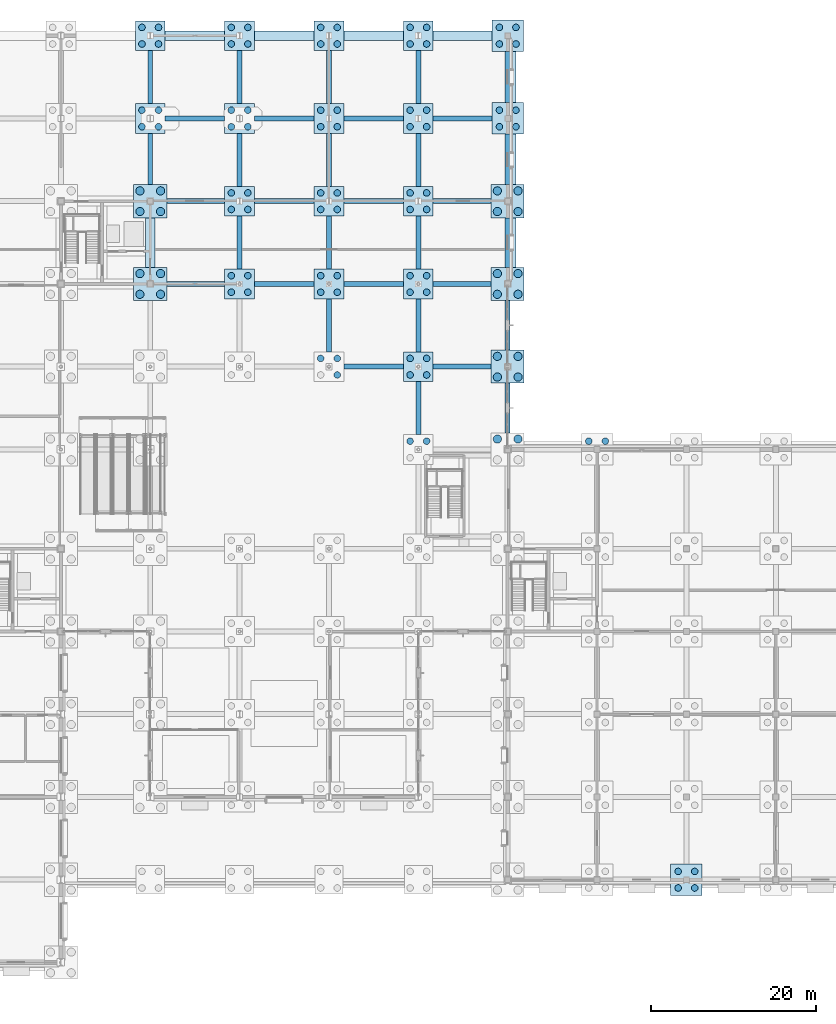
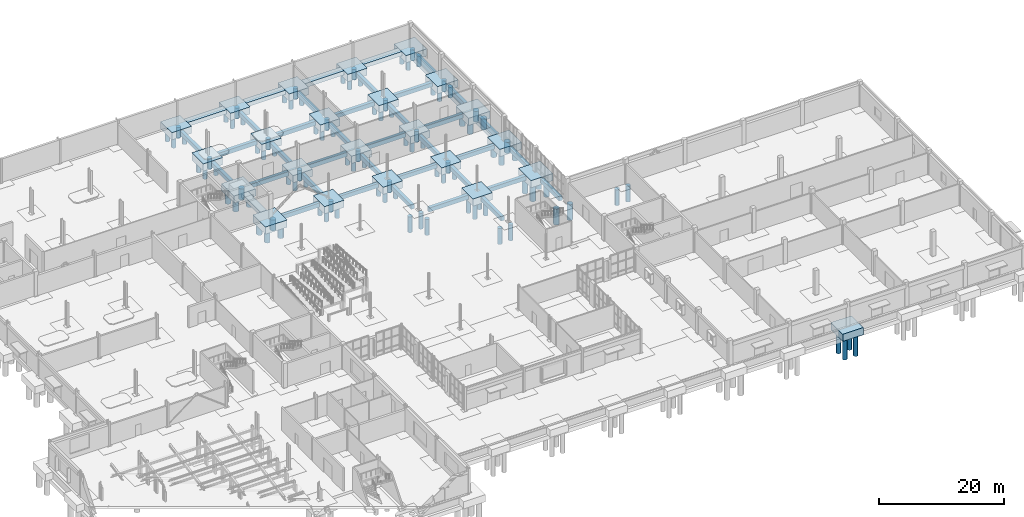
# One storey, part 6 of 73: 101 piles, 62 footings.
"""IFC4 building model written with IfcOpenShell, lengths in metres."""

from ifc_helpers import new_model, si_unit, direction, frame, origin, origin_2d, place, context, subcontext, project, spatial, rectangle, circle, extrude, material, material_profile, profile_set, type_object, element, save


model = new_model("IFC4")

# Units and contexts
model_context = context("Model", 3, precision=1e-05, world=origin(), true_north=direction((0.0, 1.0)))
body_context = subcontext(model_context, "Body", "Model", "MODEL_VIEW")
ifc_project = project(units=[si_unit("LENGTHUNIT", "METRE"), si_unit("AREAUNIT", "SQUARE_METRE"), si_unit("VOLUMEUNIT", "CUBIC_METRE"), si_unit("PLANEANGLEUNIT", "RADIAN"), si_unit("MASSUNIT", "GRAM", prefix="KILO")], contexts=[model_context])

# Site, building, storey
site_placement = place(None, origin())
site = spatial("IfcSite", under=ifc_project, at=site_placement, CompositionType="ELEMENT")
building_placement = place(site_placement, origin())
building = spatial("IfcBuilding", under=site, at=building_placement, Name="Tasgan Crest Museum", CompositionType="ELEMENT")
storey_placement = place(building_placement, origin())
storey = spatial("IfcBuildingStorey", under=building, at=storey_placement, Name="L00", CompositionType="ELEMENT", Elevation=0.0)

# Footings
ifc_material_1 = material(Name="Concrete C35/45", Category="concrete")
footing_type_1 = type_object("IfcFootingType", Name="FT-PC4-3600", PredefinedType="PILE_CAP", material=ifc_material_1)
for number, where, z_axis, x_axis, name in (
    (1, (64.800048828125, 102.0, -1.39990234375), (0.0, 0.0, 1.0), (1.0, 0.0, 0.0), "Pile cap 7/L"),
    (2, (64.800048828125, 112.0, -1.39990234375), (0.0, 0.0, 1.0), (1.0, 0.0, 0.0), "Pile cap 7/M"),
    (3, (75.60009765625, 82.0, -1.39990234375), (0.0, 0.0, 1.0), (1.0, 0.0, 0.0), "Pile cap 8/J"),
    (4, (75.60009765625, 92.0, -1.39990234375), (0.0, 0.0, 1.0), (1.0, 0.0, 0.0), "Pile cap 8/K"),
    (5, (75.60009765625, 102.0, -1.39990234375), (0.0, 0.0, 1.0), (1.0, 0.0, 0.0), "Pile cap 8/L"),
    (6, (75.60009765625, 112.0, -1.39990234375), (0.0, 0.0, 1.0), (1.0, 0.0, 0.0), "Pile cap 8/M"),
    (7, (86.39990234375, 82.0, -1.39990234375), (0.0, 0.0, 1.0), (1.0, 0.0, 0.0), "Pile cap 9/J"),
    (8, (86.39990234375, 92.0, -1.39990234375), (0.0, 0.0, 1.0), (1.0, 0.0, 0.0), "Pile cap 9/K"),
    (9, (86.39990234375, 102.0, -1.39990234375), (0.0, 0.0, 1.0), (1.0, 0.0, 0.0), "Pile cap 9/L"),
    (10, (86.39990234375, 112.0, -1.39990234375), (0.0, 0.0, 1.0), (1.0, 0.0, 0.0), "Pile cap 9/M"),
    (11, (97.199951171875, 72.0, -1.39990234375), (0.0, 0.0, 1.0), (1.0, 0.0, 0.0), "Pile cap 10/H"),
    (12, (97.199951171875, 82.0, -1.39990234375), (0.0, 0.0, 1.0), (1.0, 0.0, 0.0), "Pile cap 10/J"),
    (13, (97.199951171875, 92.0, -1.39990234375), (0.0, 0.0, 1.0), (1.0, 0.0, 0.0), "Pile cap 10/K"),
    (14, (97.199951171875, 102.0, -1.39990234375), (0.0, 0.0, 1.0), (1.0, 0.0, 0.0), "Pile cap 10/L"),
    (15, (97.199951171875, 112.0, -1.39990234375), (0.0, 0.0, 1.0), (1.0, 0.0, 0.0), "Pile cap 10/M"),
):
    element("IfcFooting", number, at=place(storey_placement, frame(where, z_axis=z_axis, x_axis=x_axis)), inside=storey, type_object=footing_type_1, Name=name, PredefinedType="PILE_CAP", context=body_context, shape_type="SweptSolid", body=[
        extrude(rectangle(XDim=3.60009765625, YDim=3.60009765625, at=origin_2d()), origin(), (0.0, 0.0, 1.0), 1.39990234375),
    ])
ifc_material_2 = material(Name="Concrete C35/45", Category="concrete")
footing_type_2 = type_object("IfcFootingType", Name="FT-PC4-3800", PredefinedType="PILE_CAP", material=ifc_material_2)
for number, where, z_axis, x_axis, name in (
    (16, (108.0, 102.0, -1.39990234375), (0.0, 0.0, 1.0), (1.0, 0.0, 0.0), "Pile cap 11/L"),
    (17, (108.0, 112.0, -1.39990234375), (0.0, 0.0, 1.0), (1.0, 0.0, 0.0), "Pile cap 11/M"),
    (18, (129.60009765625, 10.0, -1.39990234375), (0.0, 0.0, 1.0), (1.0, 0.0, 0.0), "Pile cap 13/B"),
):
    element("IfcFooting", number, at=place(storey_placement, frame(where, z_axis=z_axis, x_axis=x_axis)), inside=storey, type_object=footing_type_2, Name=name, PredefinedType="PILE_CAP", context=body_context, shape_type="SweptSolid", body=[
        extrude(rectangle(XDim=3.800048828125, YDim=3.800048828125, at=origin_2d()), origin(), (0.0, 0.0, 1.0), 1.39990234375),
    ])
ifc_material_3 = material(Name="Concrete C35/45", Category="concrete")
footing_type_3 = type_object("IfcFootingType", Name="FT-PC4-4000", PredefinedType="PILE_CAP", material=ifc_material_3)
for number, where, z_axis, x_axis, name in (
    (19, (64.800048828125, 82.0, -1.39990234375), (0.0, 0.0, 1.0), (1.0, 0.0, 0.0), "Pile cap 7/J"),
    (20, (64.800048828125, 92.0, -1.39990234375), (0.0, 0.0, 1.0), (1.0, 0.0, 0.0), "Pile cap 7/K"),
    (21, (108.0, 72.0, -1.39990234375), (0.0, 0.0, 1.0), (1.0, 0.0, 0.0), "Pile cap 11/H"),
    (22, (108.0, 82.0, -1.39990234375), (0.0, 0.0, 1.0), (1.0, 0.0, 0.0), "Pile cap 11/J"),
    (23, (108.0, 92.0, -1.39990234375), (0.0, 0.0, 1.0), (1.0, 0.0, 0.0), "Pile cap 11/K"),
):
    element("IfcFooting", number, at=place(storey_placement, frame(where, z_axis=z_axis, x_axis=x_axis)), inside=storey, type_object=footing_type_3, Name=name, PredefinedType="PILE_CAP", context=body_context, shape_type="SweptSolid", body=[
        extrude(rectangle(XDim=4.0, YDim=4.0, at=origin_2d()), origin(), (0.0, 0.0, 1.0), 1.39990234375),
    ])
ifc_material_4 = material(Name="Concrete C35/45", Category="concrete")
ifc_material_profile_1 = material_profile(ifc_material_4, rectangle(XDim=1.199951171875, YDim=0.800048828125, at=origin_2d()), Name="SF 1200x800")
ifc_profile_set_1 = profile_set([ifc_material_profile_1], Name="Concrete C35/45")
footing_type_4 = type_object("IfcFootingType", Name="FT-SF-1200X800", PredefinedType="STRIP_FOOTING", material=ifc_profile_set_1)
footing_1_placement = place(storey_placement, frame((66.60009765625, 112.0, -0.39990234375), z_axis=(1.0, 0.0, 0.0), x_axis=(0.0, 1.0, 0.0)))
element("IfcFooting", 24, at=footing_1_placement, inside=storey, type_object=footing_type_4, Name="North retaining strip footing 64.8-75.6", PredefinedType="STRIP_FOOTING", context=body_context, shape_type="SweptSolid", body=[
    extrude(rectangle(XDim=1.199951171875, YDim=0.800048828125, at=origin_2d()), origin(), (0.0, 0.0, 1.0), 7.199951171875),
])
footing_2_placement = place(storey_placement, frame((77.39990234375, 112.0, -0.39990234375), z_axis=(1.0, 0.0, 0.0), x_axis=(0.0, 1.0, 0.0)))
element("IfcFooting", 25, at=footing_2_placement, inside=storey, type_object=footing_type_4, Name="North retaining strip footing 75.6-86.4", PredefinedType="STRIP_FOOTING", context=body_context, shape_type="SweptSolid", body=[
    extrude(rectangle(XDim=1.199951171875, YDim=0.800048828125, at=origin_2d()), origin(), (0.0, 0.0, 1.0), 7.2001953125),
])
footing_3_placement = place(storey_placement, frame((88.199951171875, 112.0, -0.39990234375), z_axis=(1.0, 0.0, 0.0), x_axis=(0.0, 1.0, 0.0)))
element("IfcFooting", 26, at=footing_3_placement, inside=storey, type_object=footing_type_4, Name="North retaining strip footing 86.4-97.2", PredefinedType="STRIP_FOOTING", context=body_context, shape_type="SweptSolid", body=[
    extrude(rectangle(XDim=1.199951171875, YDim=0.800048828125, at=origin_2d()), origin(), (0.0, 0.0, 1.0), 7.199951171875),
])
footing_4_placement = place(storey_placement, frame((99.0, 112.0, -0.39990234375), z_axis=(1.0, 0.0, 0.0), x_axis=(0.0, 1.0, 0.0)))
element("IfcFooting", 27, at=footing_4_placement, inside=storey, type_object=footing_type_4, Name="North retaining strip footing 97.2-108.0", PredefinedType="STRIP_FOOTING", context=body_context, shape_type="SweptSolid", body=[
    extrude(rectangle(XDim=1.199951171875, YDim=0.800048828125, at=origin_2d()), origin(), (0.0, 0.0, 1.0), 7.10009765625),
])
footing_5_placement = place(storey_placement, frame((108.429931640625, 82.449951171875, -1.780029296875), z_axis=(0.0, 1.0, 0.0), x_axis=(-1.0, 0.0, 0.0)))
element("IfcFooting", 28, at=footing_5_placement, inside=storey, type_object=footing_type_4, Name="Hillside plinth footing E-NORTH-SLOPE", PredefinedType="STRIP_FOOTING", context=body_context, shape_type="SweptSolid", body=[
    extrude(rectangle(XDim=1.199951171875, YDim=0.800048828125, at=origin_2d()), origin(), (0.0, 0.0, 1.0), 29.10009765625),
])
footing_6_placement = place(storey_placement, frame((64.800048828125, 84.0, -0.39990234375), z_axis=(0.0, 1.0, 0.0), x_axis=(-1.0, 0.0, 0.0)))
element("IfcFooting", 29, at=footing_6_placement, inside=storey, type_object=footing_type_4, Name="North-Central Sawtooth Core E strip footing", PredefinedType="STRIP_FOOTING", context=body_context, shape_type="SweptSolid", body=[
    extrude(rectangle(XDim=1.199951171875, YDim=0.800048828125, at=origin_2d()), origin(), (0.0, 0.0, 1.0), 6.0),
])
ifc_material_5 = material(Name="Concrete C35/45", Category="concrete")
ifc_material_profile_2 = material_profile(ifc_material_5, rectangle(XDim=0.60009765625, YDim=0.800048828125, at=origin_2d()), Name="TB 600x800")
ifc_profile_set_2 = profile_set([ifc_material_profile_2], Name="Concrete C35/45")
footing_type_5 = type_object("IfcFootingType", Name="FT-TB-600X800", PredefinedType="FOOTING_BEAM", material=ifc_profile_set_2)
footing_7_placement = place(storey_placement, frame((88.199951171875, 72.0, -0.550048828125), z_axis=(1.0, 0.0, 0.0), x_axis=(0.0, 1.0, 0.0)))
element("IfcFooting", 30, at=footing_7_placement, inside=storey, type_object=footing_type_5, Name="Ground tie beam H 86.4-97.2", PredefinedType="FOOTING_BEAM", context=body_context, shape_type="SweptSolid", body=[
    extrude(rectangle(XDim=0.60009765625, YDim=0.800048828125, at=origin_2d()), origin(), (0.0, 0.0, 1.0), 7.199951171875),
])
for number, where, z_axis, x_axis, name in (
    (31, (99.0, 72.0, -0.550048828125), (1.0, 0.0, 0.0), (0.0, 1.0, 0.0), "Ground tie beam H 97.2-108.0"),
    (32, (66.800048828125, 82.0, -0.550048828125), (1.0, 0.0, 0.0), (0.0, 1.0, 0.0), "Ground tie beam J 64.8-75.6"),
):
    element("IfcFooting", number, at=place(storey_placement, frame(where, z_axis=z_axis, x_axis=x_axis)), inside=storey, type_object=footing_type_5, Name=name, PredefinedType="FOOTING_BEAM", context=body_context, shape_type="SweptSolid", body=[
        extrude(rectangle(XDim=0.60009765625, YDim=0.800048828125, at=origin_2d()), origin(), (0.0, 0.0, 1.0), 7.0),
    ])
footing_8_placement = place(storey_placement, frame((77.39990234375, 82.0, -0.550048828125), z_axis=(1.0, 0.0, 0.0), x_axis=(0.0, 1.0, 0.0)))
element("IfcFooting", 33, at=footing_8_placement, inside=storey, type_object=footing_type_5, Name="Ground tie beam J 75.6-86.4", PredefinedType="FOOTING_BEAM", context=body_context, shape_type="SweptSolid", body=[
    extrude(rectangle(XDim=0.60009765625, YDim=0.800048828125, at=origin_2d()), origin(), (0.0, 0.0, 1.0), 7.2001953125),
])
footing_9_placement = place(storey_placement, frame((88.199951171875, 82.0, -0.550048828125), z_axis=(1.0, 0.0, 0.0), x_axis=(0.0, 1.0, 0.0)))
element("IfcFooting", 34, at=footing_9_placement, inside=storey, type_object=footing_type_5, Name="Ground tie beam J 86.4-97.2", PredefinedType="FOOTING_BEAM", context=body_context, shape_type="SweptSolid", body=[
    extrude(rectangle(XDim=0.60009765625, YDim=0.800048828125, at=origin_2d()), origin(), (0.0, 0.0, 1.0), 7.199951171875),
])
for number, where, z_axis, x_axis, name in (
    (35, (99.0, 82.0, -0.550048828125), (1.0, 0.0, 0.0), (0.0, 1.0, 0.0), "Ground tie beam J 97.2-108.0"),
    (36, (66.800048828125, 92.0, -0.550048828125), (1.0, 0.0, 0.0), (0.0, 1.0, 0.0), "Ground tie beam K 64.8-75.6"),
):
    element("IfcFooting", number, at=place(storey_placement, frame(where, z_axis=z_axis, x_axis=x_axis)), inside=storey, type_object=footing_type_5, Name=name, PredefinedType="FOOTING_BEAM", context=body_context, shape_type="SweptSolid", body=[
        extrude(rectangle(XDim=0.60009765625, YDim=0.800048828125, at=origin_2d()), origin(), (0.0, 0.0, 1.0), 7.0),
    ])
footing_10_placement = place(storey_placement, frame((77.39990234375, 92.0, -0.550048828125), z_axis=(1.0, 0.0, 0.0), x_axis=(0.0, 1.0, 0.0)))
element("IfcFooting", 37, at=footing_10_placement, inside=storey, type_object=footing_type_5, Name="Ground tie beam K 75.6-86.4", PredefinedType="FOOTING_BEAM", context=body_context, shape_type="SweptSolid", body=[
    extrude(rectangle(XDim=0.60009765625, YDim=0.800048828125, at=origin_2d()), origin(), (0.0, 0.0, 1.0), 7.2001953125),
])
footing_11_placement = place(storey_placement, frame((88.199951171875, 92.0, -0.550048828125), z_axis=(1.0, 0.0, 0.0), x_axis=(0.0, 1.0, 0.0)))
element("IfcFooting", 38, at=footing_11_placement, inside=storey, type_object=footing_type_5, Name="Ground tie beam K 86.4-97.2", PredefinedType="FOOTING_BEAM", context=body_context, shape_type="SweptSolid", body=[
    extrude(rectangle(XDim=0.60009765625, YDim=0.800048828125, at=origin_2d()), origin(), (0.0, 0.0, 1.0), 7.199951171875),
])
footing_12_placement = place(storey_placement, frame((99.0, 92.0, -0.550048828125), z_axis=(1.0, 0.0, 0.0), x_axis=(0.0, 1.0, 0.0)))
element("IfcFooting", 39, at=footing_12_placement, inside=storey, type_object=footing_type_5, Name="Ground tie beam K 97.2-108.0", PredefinedType="FOOTING_BEAM", context=body_context, shape_type="SweptSolid", body=[
    extrude(rectangle(XDim=0.60009765625, YDim=0.800048828125, at=origin_2d()), origin(), (0.0, 0.0, 1.0), 7.0),
])
footing_13_placement = place(storey_placement, frame((66.60009765625, 102.0, -0.550048828125), z_axis=(1.0, 0.0, 0.0), x_axis=(0.0, 1.0, 0.0)))
element("IfcFooting", 40, at=footing_13_placement, inside=storey, type_object=footing_type_5, Name="Ground tie beam L 64.8-75.6", PredefinedType="FOOTING_BEAM", context=body_context, shape_type="SweptSolid", body=[
    extrude(rectangle(XDim=0.60009765625, YDim=0.800048828125, at=origin_2d()), origin(), (0.0, 0.0, 1.0), 7.199951171875),
])
footing_14_placement = place(storey_placement, frame((77.39990234375, 102.0, -0.550048828125), z_axis=(1.0, 0.0, 0.0), x_axis=(0.0, 1.0, 0.0)))
element("IfcFooting", 41, at=footing_14_placement, inside=storey, type_object=footing_type_5, Name="Ground tie beam L 75.6-86.4", PredefinedType="FOOTING_BEAM", context=body_context, shape_type="SweptSolid", body=[
    extrude(rectangle(XDim=0.60009765625, YDim=0.800048828125, at=origin_2d()), origin(), (0.0, 0.0, 1.0), 7.2001953125),
])
footing_15_placement = place(storey_placement, frame((88.199951171875, 102.0, -0.550048828125), z_axis=(1.0, 0.0, 0.0), x_axis=(0.0, 1.0, 0.0)))
element("IfcFooting", 42, at=footing_15_placement, inside=storey, type_object=footing_type_5, Name="Ground tie beam L 86.4-97.2", PredefinedType="FOOTING_BEAM", context=body_context, shape_type="SweptSolid", body=[
    extrude(rectangle(XDim=0.60009765625, YDim=0.800048828125, at=origin_2d()), origin(), (0.0, 0.0, 1.0), 7.199951171875),
])
footing_16_placement = place(storey_placement, frame((99.0, 102.0, -0.550048828125), z_axis=(1.0, 0.0, 0.0), x_axis=(0.0, 1.0, 0.0)))
element("IfcFooting", 43, at=footing_16_placement, inside=storey, type_object=footing_type_5, Name="Ground tie beam L 97.2-108.0", PredefinedType="FOOTING_BEAM", context=body_context, shape_type="SweptSolid", body=[
    extrude(rectangle(XDim=0.60009765625, YDim=0.800048828125, at=origin_2d()), origin(), (0.0, 0.0, 1.0), 7.10009765625),
])
footing_17_placement = place(storey_placement, frame((64.800048828125, 94.0, -0.550048828125), z_axis=(0.0, 1.0, 0.0), x_axis=(-1.0, 0.0, 0.0)))
element("IfcFooting", 44, at=footing_17_placement, inside=storey, type_object=footing_type_5, Name="Ground tie beam 7 92.0-102.0", PredefinedType="FOOTING_BEAM", context=body_context, shape_type="SweptSolid", body=[
    extrude(rectangle(XDim=0.60009765625, YDim=0.800048828125, at=origin_2d()), origin(), (0.0, 0.0, 1.0), 6.199951171875),
])
for number, where, z_axis, x_axis, name in (
    (45, (64.800048828125, 103.800048828125, -0.550048828125), (0.0, 1.0, 0.0), (-1.0, 0.0, 0.0), "Ground tie beam 7 102.0-112.0"),
    (46, (75.60009765625, 83.800048828125, -0.550048828125), (0.0, 1.0, 0.0), (-1.0, 0.0, 0.0), "Ground tie beam 8 82.0-92.0"),
    (47, (75.60009765625, 93.800048828125, -0.550048828125), (0.0, 1.0, 0.0), (-1.0, 0.0, 0.0), "Ground tie beam 8 92.0-102.0"),
    (48, (75.60009765625, 103.800048828125, -0.550048828125), (0.0, 1.0, 0.0), (-1.0, 0.0, 0.0), "Ground tie beam 8 102.0-112.0"),
    (49, (86.39990234375, 73.800048828125, -0.550048828125), (0.0, 1.0, 0.0), (-1.0, 0.0, 0.0), "Ground tie beam 9 72.0-82.0"),
    (50, (86.39990234375, 83.800048828125, -0.550048828125), (0.0, 1.0, 0.0), (-1.0, 0.0, 0.0), "Ground tie beam 9 82.0-92.0"),
    (51, (86.39990234375, 93.800048828125, -0.550048828125), (0.0, 1.0, 0.0), (-1.0, 0.0, 0.0), "Ground tie beam 9 92.0-102.0"),
    (52, (86.39990234375, 103.800048828125, -0.550048828125), (0.0, 1.0, 0.0), (-1.0, 0.0, 0.0), "Ground tie beam 9 102.0-112.0"),
    (53, (97.199951171875, 63.800048828125, -0.550048828125), (0.0, 1.0, 0.0), (-1.0, 0.0, 0.0), "Ground tie beam 10 62.0-72.0"),
    (54, (97.199951171875, 73.800048828125, -0.550048828125), (0.0, 1.0, 0.0), (-1.0, 0.0, 0.0), "Ground tie beam 10 72.0-82.0"),
    (55, (97.199951171875, 83.800048828125, -0.550048828125), (0.0, 1.0, 0.0), (-1.0, 0.0, 0.0), "Ground tie beam 10 82.0-92.0"),
    (56, (97.199951171875, 93.800048828125, -0.550048828125), (0.0, 1.0, 0.0), (-1.0, 0.0, 0.0), "Ground tie beam 10 92.0-102.0"),
    (57, (97.199951171875, 103.800048828125, -0.550048828125), (0.0, 1.0, 0.0), (-1.0, 0.0, 0.0), "Ground tie beam 10 102.0-112.0"),
):
    element("IfcFooting", number, at=place(storey_placement, frame(where, z_axis=z_axis, x_axis=x_axis)), inside=storey, type_object=footing_type_5, Name=name, PredefinedType="FOOTING_BEAM", context=body_context, shape_type="SweptSolid", body=[
        extrude(rectangle(XDim=0.60009765625, YDim=0.800048828125, at=origin_2d()), origin(), (0.0, 0.0, 1.0), 6.39990234375),
    ])
for number, where, z_axis, x_axis, name in (
    (58, (108.0, 64.0, -0.550048828125), (0.0, 1.0, 0.0), (-1.0, 0.0, 0.0), "Ground tie beam 11 62.0-72.0"),
    (59, (108.0, 74.0, -0.550048828125), (0.0, 1.0, 0.0), (-1.0, 0.0, 0.0), "Ground tie beam 11 72.0-82.0"),
    (60, (108.0, 84.0, -0.550048828125), (0.0, 1.0, 0.0), (-1.0, 0.0, 0.0), "Ground tie beam 11 82.0-92.0"),
):
    element("IfcFooting", number, at=place(storey_placement, frame(where, z_axis=z_axis, x_axis=x_axis)), inside=storey, type_object=footing_type_5, Name=name, PredefinedType="FOOTING_BEAM", context=body_context, shape_type="SweptSolid", body=[
        extrude(rectangle(XDim=0.60009765625, YDim=0.800048828125, at=origin_2d()), origin(), (0.0, 0.0, 1.0), 6.0),
    ])
footing_18_placement = place(storey_placement, frame((108.0, 94.0, -0.550048828125), z_axis=(0.0, 1.0, 0.0), x_axis=(-1.0, 0.0, 0.0)))
element("IfcFooting", 61, at=footing_18_placement, inside=storey, type_object=footing_type_5, Name="Ground tie beam 11 92.0-102.0", PredefinedType="FOOTING_BEAM", context=body_context, shape_type="SweptSolid", body=[
    extrude(rectangle(XDim=0.60009765625, YDim=0.800048828125, at=origin_2d()), origin(), (0.0, 0.0, 1.0), 6.10009765625),
])
footing_19_placement = place(storey_placement, frame((108.0, 103.89990234375, -0.550048828125), z_axis=(0.0, 1.0, 0.0), x_axis=(-1.0, 0.0, 0.0)))
element("IfcFooting", 62, at=footing_19_placement, inside=storey, type_object=footing_type_5, Name="Ground tie beam 11 102.0-112.0", PredefinedType="FOOTING_BEAM", context=body_context, shape_type="SweptSolid", body=[
    extrude(rectangle(XDim=0.60009765625, YDim=0.800048828125, at=origin_2d()), origin(), (0.0, 0.0, 1.0), 6.2001953125),
])

# Piles
ifc_material_6 = material(Name="Concrete C35/45", Category="concrete")
ifc_material_profile_3 = material_profile(ifc_material_6, circle(Radius=0.5, at=origin_2d()), Name="PILE D1000")
ifc_profile_set_3 = profile_set([ifc_material_profile_3], Name="Concrete C35/45")
pile_type_1 = type_object("IfcPileType", Name="PILE-B1000", PredefinedType="BORED", material=ifc_profile_set_3)
for number, where, z_axis, x_axis, name in (
    (63, (63.550048828125, 80.75, -1.39990234375), (0.0, 0.0, -1.0), (1.0, 0.0, 0.0), "Bored pile 7/J-P1"),
    (64, (66.050048828125, 80.75, -1.39990234375), (0.0, 0.0, -1.0), (1.0, 0.0, 0.0), "Bored pile 7/J-P2"),
    (65, (63.550048828125, 83.25, -1.39990234375), (0.0, 0.0, -1.0), (1.0, 0.0, 0.0), "Bored pile 7/J-P3"),
    (66, (66.050048828125, 83.25, -1.39990234375), (0.0, 0.0, -1.0), (1.0, 0.0, 0.0), "Bored pile 7/J-P4"),
    (67, (63.550048828125, 90.75, -1.39990234375), (0.0, 0.0, -1.0), (1.0, 0.0, 0.0), "Bored pile 7/K-P1"),
    (68, (66.050048828125, 90.75, -1.39990234375), (0.0, 0.0, -1.0), (1.0, 0.0, 0.0), "Bored pile 7/K-P2"),
    (69, (63.550048828125, 93.25, -1.39990234375), (0.0, 0.0, -1.0), (1.0, 0.0, 0.0), "Bored pile 7/K-P3"),
    (70, (66.050048828125, 93.25, -1.39990234375), (0.0, 0.0, -1.0), (1.0, 0.0, 0.0), "Bored pile 7/K-P4"),
):
    element("IfcPile", number, at=place(storey_placement, frame(where, z_axis=z_axis, x_axis=x_axis)), inside=storey, type_object=pile_type_1, Name=name, PredefinedType="BORED", context=body_context, shape_type="SweptSolid", body=[
        extrude(circle(Radius=0.5, at=origin_2d()), origin(), (0.0, 0.0, 1.0), 2.10009765625),
    ])
for number, where, z_axis, x_axis, name in (
    (71, (106.75, 63.25, -1.39990234375), (0.0, 0.0, -1.0), (1.0, 0.0, 0.0), "Bored pile 11/G-P3"),
    (72, (109.25, 63.25, -1.39990234375), (0.0, 0.0, -1.0), (1.0, 0.0, 0.0), "Bored pile 11/G-P4"),
    (73, (106.75, 70.75, -1.39990234375), (0.0, 0.0, -1.0), (1.0, 0.0, 0.0), "Bored pile 11/H-P1"),
    (74, (109.25, 70.75, -1.39990234375), (0.0, 0.0, -1.0), (1.0, 0.0, 0.0), "Bored pile 11/H-P2"),
    (75, (106.75, 73.25, -1.39990234375), (0.0, 0.0, -1.0), (1.0, 0.0, 0.0), "Bored pile 11/H-P3"),
    (76, (109.25, 73.25, -1.39990234375), (0.0, 0.0, -1.0), (1.0, 0.0, 0.0), "Bored pile 11/H-P4"),
):
    element("IfcPile", number, at=place(storey_placement, frame(where, z_axis=z_axis, x_axis=x_axis)), inside=storey, type_object=pile_type_1, Name=name, PredefinedType="BORED", context=body_context, shape_type="SweptSolid", body=[
        extrude(circle(Radius=0.5, at=origin_2d()), origin(), (0.0, 0.0, 1.0), 3.10009765625),
    ])
for number, where, z_axis, x_axis, name in (
    (77, (106.75, 80.75, -1.39990234375), (0.0, 0.0, -1.0), (1.0, 0.0, 0.0), "Bored pile 11/J-P1"),
    (78, (109.25, 80.75, -1.39990234375), (0.0, 0.0, -1.0), (1.0, 0.0, 0.0), "Bored pile 11/J-P2"),
    (79, (106.75, 83.25, -1.39990234375), (0.0, 0.0, -1.0), (1.0, 0.0, 0.0), "Bored pile 11/J-P3"),
    (80, (109.25, 83.25, -1.39990234375), (0.0, 0.0, -1.0), (1.0, 0.0, 0.0), "Bored pile 11/J-P4"),
    (81, (106.75, 90.75, -1.39990234375), (0.0, 0.0, -1.0), (1.0, 0.0, 0.0), "Bored pile 11/K-P1"),
    (82, (109.25, 90.75, -1.39990234375), (0.0, 0.0, -1.0), (1.0, 0.0, 0.0), "Bored pile 11/K-P2"),
    (83, (106.75, 93.25, -1.39990234375), (0.0, 0.0, -1.0), (1.0, 0.0, 0.0), "Bored pile 11/K-P3"),
    (84, (109.25, 93.25, -1.39990234375), (0.0, 0.0, -1.0), (1.0, 0.0, 0.0), "Bored pile 11/K-P4"),
):
    element("IfcPile", number, at=place(storey_placement, frame(where, z_axis=z_axis, x_axis=x_axis)), inside=storey, type_object=pile_type_1, Name=name, PredefinedType="BORED", context=body_context, shape_type="SweptSolid", body=[
        extrude(circle(Radius=0.5, at=origin_2d()), origin(), (0.0, 0.0, 1.0), 2.10009765625),
    ])
ifc_material_7 = material(Name="Concrete C35/45", Category="concrete")
ifc_material_profile_4 = material_profile(ifc_material_7, circle(Radius=0.39990234375, at=origin_2d()), Name="PILE D800")
ifc_profile_set_4 = profile_set([ifc_material_profile_4], Name="Concrete C35/45")
pile_type_2 = type_object("IfcPileType", Name="PILE-B800", PredefinedType="BORED", material=ifc_profile_set_4)
for number, where, z_axis, x_axis, name in (
    (85, (63.800048828125, 101.0, -1.39990234375), (0.0, 0.0, -1.0), (1.0, 0.0, 0.0), "Bored pile 7/L-P1"),
    (86, (65.800048828125, 101.0, -1.39990234375), (0.0, 0.0, -1.0), (1.0, 0.0, 0.0), "Bored pile 7/L-P2"),
    (87, (63.800048828125, 103.0, -1.39990234375), (0.0, 0.0, -1.0), (1.0, 0.0, 0.0), "Bored pile 7/L-P3"),
    (88, (65.800048828125, 103.0, -1.39990234375), (0.0, 0.0, -1.0), (1.0, 0.0, 0.0), "Bored pile 7/L-P4"),
    (89, (63.800048828125, 111.0, -1.39990234375), (0.0, 0.0, -1.0), (1.0, 0.0, 0.0), "Bored pile 7/M-P1"),
    (90, (65.800048828125, 111.0, -1.39990234375), (0.0, 0.0, -1.0), (1.0, 0.0, 0.0), "Bored pile 7/M-P2"),
    (91, (63.800048828125, 113.0, -1.39990234375), (0.0, 0.0, -1.0), (1.0, 0.0, 0.0), "Bored pile 7/M-P3"),
    (92, (65.800048828125, 113.0, -1.39990234375), (0.0, 0.0, -1.0), (1.0, 0.0, 0.0), "Bored pile 7/M-P4"),
    (93, (74.60009765625, 81.0, -1.39990234375), (0.0, 0.0, -1.0), (1.0, 0.0, 0.0), "Bored pile 8/J-P1"),
    (94, (76.60009765625, 81.0, -1.39990234375), (0.0, 0.0, -1.0), (1.0, 0.0, 0.0), "Bored pile 8/J-P2"),
    (95, (74.60009765625, 83.0, -1.39990234375), (0.0, 0.0, -1.0), (1.0, 0.0, 0.0), "Bored pile 8/J-P3"),
    (96, (76.60009765625, 83.0, -1.39990234375), (0.0, 0.0, -1.0), (1.0, 0.0, 0.0), "Bored pile 8/J-P4"),
    (97, (74.60009765625, 91.0, -1.39990234375), (0.0, 0.0, -1.0), (1.0, 0.0, 0.0), "Bored pile 8/K-P1"),
    (98, (76.60009765625, 91.0, -1.39990234375), (0.0, 0.0, -1.0), (1.0, 0.0, 0.0), "Bored pile 8/K-P2"),
    (99, (74.60009765625, 93.0, -1.39990234375), (0.0, 0.0, -1.0), (1.0, 0.0, 0.0), "Bored pile 8/K-P3"),
    (100, (76.60009765625, 93.0, -1.39990234375), (0.0, 0.0, -1.0), (1.0, 0.0, 0.0), "Bored pile 8/K-P4"),
    (101, (74.60009765625, 101.0, -1.39990234375), (0.0, 0.0, -1.0), (1.0, 0.0, 0.0), "Bored pile 8/L-P1"),
    (102, (76.60009765625, 101.0, -1.39990234375), (0.0, 0.0, -1.0), (1.0, 0.0, 0.0), "Bored pile 8/L-P2"),
    (103, (74.60009765625, 103.0, -1.39990234375), (0.0, 0.0, -1.0), (1.0, 0.0, 0.0), "Bored pile 8/L-P3"),
    (104, (76.60009765625, 103.0, -1.39990234375), (0.0, 0.0, -1.0), (1.0, 0.0, 0.0), "Bored pile 8/L-P4"),
    (105, (74.60009765625, 111.0, -1.39990234375), (0.0, 0.0, -1.0), (1.0, 0.0, 0.0), "Bored pile 8/M-P1"),
    (106, (76.60009765625, 111.0, -1.39990234375), (0.0, 0.0, -1.0), (1.0, 0.0, 0.0), "Bored pile 8/M-P2"),
    (107, (74.60009765625, 113.0, -1.39990234375), (0.0, 0.0, -1.0), (1.0, 0.0, 0.0), "Bored pile 8/M-P3"),
    (108, (76.60009765625, 113.0, -1.39990234375), (0.0, 0.0, -1.0), (1.0, 0.0, 0.0), "Bored pile 8/M-P4"),
):
    element("IfcPile", number, at=place(storey_placement, frame(where, z_axis=z_axis, x_axis=x_axis)), inside=storey, type_object=pile_type_2, Name=name, PredefinedType="BORED", context=body_context, shape_type="SweptSolid", body=[
        extrude(circle(Radius=0.39990234375, at=origin_2d()), origin(), (0.0, 0.0, 1.0), 2.10009765625),
    ])
for number, where, z_axis, x_axis, name in (
    (109, (87.39990234375, 71.0, -1.39990234375), (0.0, 0.0, -1.0), (1.0, 0.0, 0.0), "Bored pile 9/H-P2"),
    (110, (85.39990234375, 73.0, -1.39990234375), (0.0, 0.0, -1.0), (1.0, 0.0, 0.0), "Bored pile 9/H-P3"),
    (111, (87.39990234375, 73.0, -1.39990234375), (0.0, 0.0, -1.0), (1.0, 0.0, 0.0), "Bored pile 9/H-P4"),
):
    element("IfcPile", number, at=place(storey_placement, frame(where, z_axis=z_axis, x_axis=x_axis)), inside=storey, type_object=pile_type_2, Name=name, PredefinedType="BORED", context=body_context, shape_type="SweptSolid", body=[
        extrude(circle(Radius=0.39990234375, at=origin_2d()), origin(), (0.0, 0.0, 1.0), 3.10009765625),
    ])
for number, where, z_axis, x_axis, name in (
    (112, (85.39990234375, 81.0, -1.39990234375), (0.0, 0.0, -1.0), (1.0, 0.0, 0.0), "Bored pile 9/J-P1"),
    (113, (87.39990234375, 81.0, -1.39990234375), (0.0, 0.0, -1.0), (1.0, 0.0, 0.0), "Bored pile 9/J-P2"),
    (114, (85.39990234375, 83.0, -1.39990234375), (0.0, 0.0, -1.0), (1.0, 0.0, 0.0), "Bored pile 9/J-P3"),
    (115, (87.39990234375, 83.0, -1.39990234375), (0.0, 0.0, -1.0), (1.0, 0.0, 0.0), "Bored pile 9/J-P4"),
    (116, (85.39990234375, 91.0, -1.39990234375), (0.0, 0.0, -1.0), (1.0, 0.0, 0.0), "Bored pile 9/K-P1"),
    (117, (87.39990234375, 91.0, -1.39990234375), (0.0, 0.0, -1.0), (1.0, 0.0, 0.0), "Bored pile 9/K-P2"),
    (118, (85.39990234375, 93.0, -1.39990234375), (0.0, 0.0, -1.0), (1.0, 0.0, 0.0), "Bored pile 9/K-P3"),
    (119, (87.39990234375, 93.0, -1.39990234375), (0.0, 0.0, -1.0), (1.0, 0.0, 0.0), "Bored pile 9/K-P4"),
    (120, (85.39990234375, 101.0, -1.39990234375), (0.0, 0.0, -1.0), (1.0, 0.0, 0.0), "Bored pile 9/L-P1"),
    (121, (87.39990234375, 101.0, -1.39990234375), (0.0, 0.0, -1.0), (1.0, 0.0, 0.0), "Bored pile 9/L-P2"),
    (122, (85.39990234375, 103.0, -1.39990234375), (0.0, 0.0, -1.0), (1.0, 0.0, 0.0), "Bored pile 9/L-P3"),
    (123, (87.39990234375, 103.0, -1.39990234375), (0.0, 0.0, -1.0), (1.0, 0.0, 0.0), "Bored pile 9/L-P4"),
    (124, (85.39990234375, 111.0, -1.39990234375), (0.0, 0.0, -1.0), (1.0, 0.0, 0.0), "Bored pile 9/M-P1"),
    (125, (87.39990234375, 111.0, -1.39990234375), (0.0, 0.0, -1.0), (1.0, 0.0, 0.0), "Bored pile 9/M-P2"),
    (126, (85.39990234375, 113.0, -1.39990234375), (0.0, 0.0, -1.0), (1.0, 0.0, 0.0), "Bored pile 9/M-P3"),
    (127, (87.39990234375, 113.0, -1.39990234375), (0.0, 0.0, -1.0), (1.0, 0.0, 0.0), "Bored pile 9/M-P4"),
):
    element("IfcPile", number, at=place(storey_placement, frame(where, z_axis=z_axis, x_axis=x_axis)), inside=storey, type_object=pile_type_2, Name=name, PredefinedType="BORED", context=body_context, shape_type="SweptSolid", body=[
        extrude(circle(Radius=0.39990234375, at=origin_2d()), origin(), (0.0, 0.0, 1.0), 2.10009765625),
    ])
for number, where, z_axis, x_axis, name in (
    (128, (96.199951171875, 63.0, -1.39990234375), (0.0, 0.0, -1.0), (1.0, 0.0, 0.0), "Bored pile 10/G-P3"),
    (129, (98.199951171875, 63.0, -1.39990234375), (0.0, 0.0, -1.0), (1.0, 0.0, 0.0), "Bored pile 10/G-P4"),
    (130, (96.199951171875, 71.0, -1.39990234375), (0.0, 0.0, -1.0), (1.0, 0.0, 0.0), "Bored pile 10/H-P1"),
    (131, (98.199951171875, 71.0, -1.39990234375), (0.0, 0.0, -1.0), (1.0, 0.0, 0.0), "Bored pile 10/H-P2"),
    (132, (96.199951171875, 73.0, -1.39990234375), (0.0, 0.0, -1.0), (1.0, 0.0, 0.0), "Bored pile 10/H-P3"),
    (133, (98.199951171875, 73.0, -1.39990234375), (0.0, 0.0, -1.0), (1.0, 0.0, 0.0), "Bored pile 10/H-P4"),
):
    element("IfcPile", number, at=place(storey_placement, frame(where, z_axis=z_axis, x_axis=x_axis)), inside=storey, type_object=pile_type_2, Name=name, PredefinedType="BORED", context=body_context, shape_type="SweptSolid", body=[
        extrude(circle(Radius=0.39990234375, at=origin_2d()), origin(), (0.0, 0.0, 1.0), 3.10009765625),
    ])
for number, where, z_axis, x_axis, name in (
    (134, (96.199951171875, 81.0, -1.39990234375), (0.0, 0.0, -1.0), (1.0, 0.0, 0.0), "Bored pile 10/J-P1"),
    (135, (98.199951171875, 81.0, -1.39990234375), (0.0, 0.0, -1.0), (1.0, 0.0, 0.0), "Bored pile 10/J-P2"),
    (136, (96.199951171875, 83.0, -1.39990234375), (0.0, 0.0, -1.0), (1.0, 0.0, 0.0), "Bored pile 10/J-P3"),
    (137, (98.199951171875, 83.0, -1.39990234375), (0.0, 0.0, -1.0), (1.0, 0.0, 0.0), "Bored pile 10/J-P4"),
    (138, (96.199951171875, 91.0, -1.39990234375), (0.0, 0.0, -1.0), (1.0, 0.0, 0.0), "Bored pile 10/K-P1"),
    (139, (98.199951171875, 91.0, -1.39990234375), (0.0, 0.0, -1.0), (1.0, 0.0, 0.0), "Bored pile 10/K-P2"),
    (140, (96.199951171875, 93.0, -1.39990234375), (0.0, 0.0, -1.0), (1.0, 0.0, 0.0), "Bored pile 10/K-P3"),
    (141, (98.199951171875, 93.0, -1.39990234375), (0.0, 0.0, -1.0), (1.0, 0.0, 0.0), "Bored pile 10/K-P4"),
    (142, (96.199951171875, 101.0, -1.39990234375), (0.0, 0.0, -1.0), (1.0, 0.0, 0.0), "Bored pile 10/L-P1"),
    (143, (98.199951171875, 101.0, -1.39990234375), (0.0, 0.0, -1.0), (1.0, 0.0, 0.0), "Bored pile 10/L-P2"),
    (144, (96.199951171875, 103.0, -1.39990234375), (0.0, 0.0, -1.0), (1.0, 0.0, 0.0), "Bored pile 10/L-P3"),
    (145, (98.199951171875, 103.0, -1.39990234375), (0.0, 0.0, -1.0), (1.0, 0.0, 0.0), "Bored pile 10/L-P4"),
    (146, (96.199951171875, 111.0, -1.39990234375), (0.0, 0.0, -1.0), (1.0, 0.0, 0.0), "Bored pile 10/M-P1"),
    (147, (98.199951171875, 111.0, -1.39990234375), (0.0, 0.0, -1.0), (1.0, 0.0, 0.0), "Bored pile 10/M-P2"),
    (148, (96.199951171875, 113.0, -1.39990234375), (0.0, 0.0, -1.0), (1.0, 0.0, 0.0), "Bored pile 10/M-P3"),
    (149, (98.199951171875, 113.0, -1.39990234375), (0.0, 0.0, -1.0), (1.0, 0.0, 0.0), "Bored pile 10/M-P4"),
    (150, (107.0, 101.0, -1.39990234375), (0.0, 0.0, -1.0), (1.0, 0.0, 0.0), "Bored pile 11/L-P1"),
    (151, (109.0, 101.0, -1.39990234375), (0.0, 0.0, -1.0), (1.0, 0.0, 0.0), "Bored pile 11/L-P2"),
    (152, (107.0, 103.0, -1.39990234375), (0.0, 0.0, -1.0), (1.0, 0.0, 0.0), "Bored pile 11/L-P3"),
    (153, (109.0, 103.0, -1.39990234375), (0.0, 0.0, -1.0), (1.0, 0.0, 0.0), "Bored pile 11/L-P4"),
    (154, (107.0, 111.0, -1.39990234375), (0.0, 0.0, -1.0), (1.0, 0.0, 0.0), "Bored pile 11/M-P1"),
    (155, (109.0, 111.0, -1.39990234375), (0.0, 0.0, -1.0), (1.0, 0.0, 0.0), "Bored pile 11/M-P2"),
    (156, (107.0, 113.0, -1.39990234375), (0.0, 0.0, -1.0), (1.0, 0.0, 0.0), "Bored pile 11/M-P3"),
    (157, (109.0, 113.0, -1.39990234375), (0.0, 0.0, -1.0), (1.0, 0.0, 0.0), "Bored pile 11/M-P4"),
):
    element("IfcPile", number, at=place(storey_placement, frame(where, z_axis=z_axis, x_axis=x_axis)), inside=storey, type_object=pile_type_2, Name=name, PredefinedType="BORED", context=body_context, shape_type="SweptSolid", body=[
        extrude(circle(Radius=0.39990234375, at=origin_2d()), origin(), (0.0, 0.0, 1.0), 2.10009765625),
    ])
for number, where, z_axis, x_axis, name in (
    (158, (117.800048828125, 63.0, -1.39990234375), (0.0, 0.0, -1.0), (1.0, 0.0, 0.0), "Bored pile 12/G-P3"),
    (159, (119.800048828125, 63.0, -1.39990234375), (0.0, 0.0, -1.0), (1.0, 0.0, 0.0), "Bored pile 12/G-P4"),
):
    element("IfcPile", number, at=place(storey_placement, frame(where, z_axis=z_axis, x_axis=x_axis)), inside=storey, type_object=pile_type_2, Name=name, PredefinedType="BORED", context=body_context, shape_type="SweptSolid", body=[
        extrude(circle(Radius=0.39990234375, at=origin_2d()), origin(), (0.0, 0.0, 1.0), 3.10009765625),
    ])
for number, where, z_axis, x_axis, name in (
    (160, (128.60009765625, 9.0, -1.39990234375), (0.0, 0.0, -1.0), (1.0, 0.0, 0.0), "Bored pile 13/B-P1"),
    (161, (130.60009765625, 9.0, -1.39990234375), (0.0, 0.0, -1.0), (1.0, 0.0, 0.0), "Bored pile 13/B-P2"),
    (162, (128.60009765625, 11.0, -1.39990234375), (0.0, 0.0, -1.0), (1.0, 0.0, 0.0), "Bored pile 13/B-P3"),
    (163, (130.60009765625, 11.0, -1.39990234375), (0.0, 0.0, -1.0), (1.0, 0.0, 0.0), "Bored pile 13/B-P4"),
):
    element("IfcPile", number, at=place(storey_placement, frame(where, z_axis=z_axis, x_axis=x_axis)), inside=storey, type_object=pile_type_2, Name=name, PredefinedType="BORED", context=body_context, shape_type="SweptSolid", body=[
        extrude(circle(Radius=0.39990234375, at=origin_2d()), origin(), (0.0, 0.0, 1.0), 4.199951171875),
    ])

save(model, "model.ifc")
